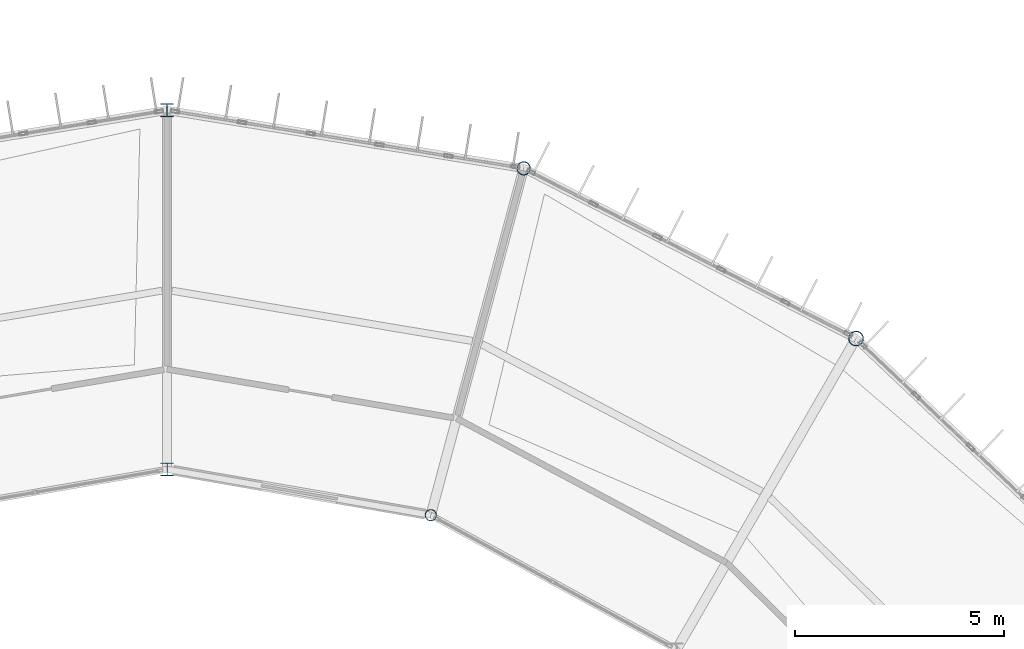
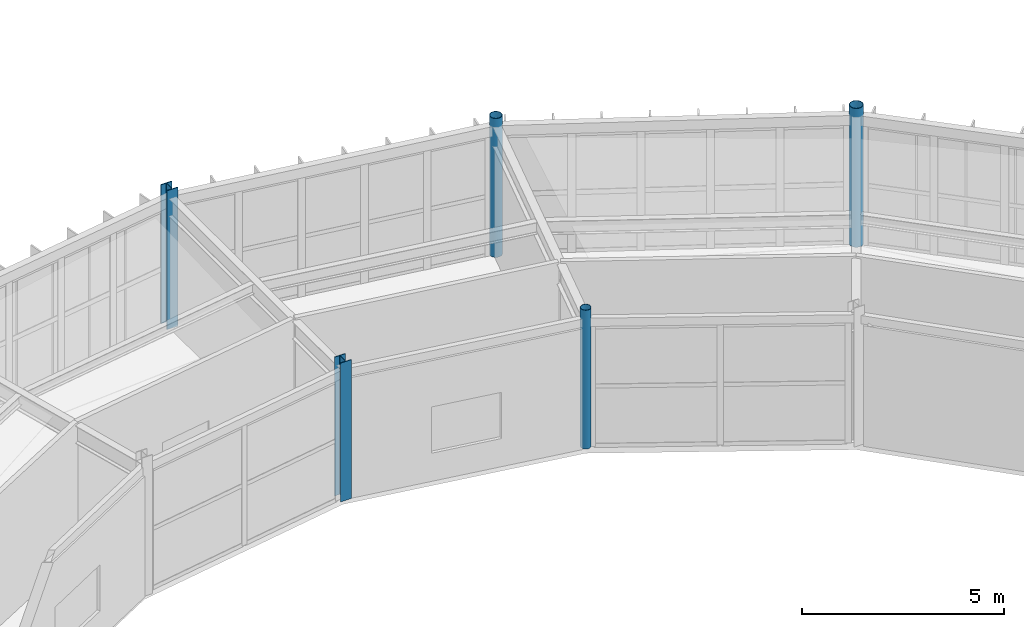
# One storey, part 16 of 147: 5 columns.
"""IFC4 building model written with IfcOpenShell, lengths in metres."""

import ifcopenshell
import ifcopenshell.guid

model = None  # the IFC model being written
_history = None  # IfcOwnerHistory: only IFC2X3 demands one
_inside = {}  # id of a spatial element -> (the spatial element, [elements in it])
_under = {}  # id of a project, library or spatial element -> (it, [spatial elements below it])
_declared = {}  # id of a project -> (the project, [libraries it declares])
_typed = {}  # id of a type object -> (the type object, [elements of that type])
_made_of = {}  # id of a material, layer set ... -> (it, [elements and type objects made of it])


def new_model(schema):
    """Start an empty IFC model of exactly this schema.

    Asked for "IFC4X3", IfcOpenShell would pick the latest addendum, in which some entities
    have other attributes; the version numbers below select the first issue.
    IFC2X3 requires an IfcOwnerHistory on every rooted entity: one is made here for all.
    """
    global model, _history
    if schema == "IFC4X3":
        model = ifcopenshell.file(schema_version=(4, 3, 0, 0))
    else:
        model = ifcopenshell.file(schema=schema)
    _inside.clear()
    _under.clear()
    _declared.clear()
    _typed.clear()
    _made_of.clear()
    _history = None
    if model.schema == "IFC2X3":
        org = make("IfcOrganization", Name="unknown")
        user = make(
            "IfcPersonAndOrganization",
            ThePerson=make("IfcPerson", FamilyName="unknown"),
            TheOrganization=org,
        )
        app = make(
            "IfcApplication",
            ApplicationDeveloper=org,
            Version="unknown",
            ApplicationFullName="unknown",
            ApplicationIdentifier="unknown",
        )
        _history = make(
            "IfcOwnerHistory",
            OwningUser=user,
            OwningApplication=app,
            ChangeAction="ADDED",
            CreationDate=0,
        )
    return model


def make(cls, **values):
    """One entity of the class cls with the attributes given. An attribute that is None is left unset."""
    return model.create_entity(
        cls, **{name: value for name, value in values.items() if value is not None}
    )


def rooted(cls, **values):
    """An entity with a GlobalId (a new one), such as an element, a storey or a relation."""
    return make(cls, GlobalId=ifcopenshell.guid.new(), OwnerHistory=_history, **values)


def si_unit(unit_type, name, prefix=None):
    """IfcSIUnit, for example si_unit("LENGTHUNIT", "METRE", prefix="MILLI")."""
    return make("IfcSIUnit", UnitType=unit_type, Prefix=prefix, Name=name)


def assignment(units):
    """IfcUnitAssignment: the units of a project."""
    return None if units is None else make("IfcUnitAssignment", Units=units)


def point(xyz):
    """IfcCartesianPoint."""
    return None if xyz is None else make("IfcCartesianPoint", Coordinates=xyz)


def direction(xyz):
    """IfcDirection."""
    return None if xyz is None else make("IfcDirection", DirectionRatios=xyz)


def frame(location, z_axis=None, x_axis=None):
    """IfcAxis2Placement3D, a coordinate frame: its origin and axes. An axis left out is left unset."""
    return make(
        "IfcAxis2Placement3D",
        Location=point(location),
        Axis=direction(z_axis),
        RefDirection=direction(x_axis),
    )


def frame_2d(location, x_axis=None):
    """IfcAxis2Placement2D, a coordinate frame in the plane: its origin and x axis."""
    return make(
        "IfcAxis2Placement2D", Location=point(location), RefDirection=direction(x_axis)
    )


def origin():
    """The frame at (0, 0, 0) with its axes left unset."""
    return frame((0.0, 0.0, 0.0))


def origin_2d():
    """The frame at (0, 0) in the plane with its x axis left unset."""
    return frame_2d((0.0, 0.0))


def place(relative_to, where):
    """IfcLocalPlacement: puts the frame where relative to a parent placement (None: the world)."""
    return make(
        "IfcLocalPlacement", PlacementRelTo=relative_to, RelativePlacement=where
    )


def context(
    kind, dimensions, precision=None, world=None, true_north=None, identifier=None
):
    """IfcGeometricRepresentationContext, for example the 3D "Model" context."""
    return make(
        "IfcGeometricRepresentationContext",
        ContextIdentifier=identifier,
        ContextType=kind,
        CoordinateSpaceDimension=dimensions,
        Precision=precision,
        WorldCoordinateSystem=world,
        TrueNorth=true_north,
    )


def subcontext(parent, identifier, kind, view, scale=None):
    """IfcGeometricRepresentationSubContext, for example "Body" below "Model"."""
    return make(
        "IfcGeometricRepresentationSubContext",
        ContextIdentifier=identifier,
        ContextType=kind,
        ParentContext=parent,
        TargetScale=scale,
        TargetView=view,
    )


def project(units=None, contexts=None):
    """IfcProject with its units and contexts."""
    return rooted(
        "IfcProject",
        Name="project",
        RepresentationContexts=contexts,
        UnitsInContext=assignment(units),
    )


def spatial(cls, under=None, at=None, **own):
    """A site, building, storey or space (cls), placed at a placement, below another one or the project."""
    s = rooted(cls, ObjectPlacement=at, **own)
    if under is not None:
        _under.setdefault(under.id(), (under, []))[1].append(s)
    return s


def profile(cls, at=None, kind="AREA", **sizes):
    """A parametric profile (cls). Its sizes go by their IFC names, for example OverallWidth=200.0."""
    return make(cls, ProfileType=kind, Position=at, **sizes)


def hollow_circle(**sizes):
    """IfcCircleHollowProfileDef."""
    return profile("IfcCircleHollowProfileDef", **sizes)


def i_section(**sizes):
    """IfcIShapeProfileDef."""
    return profile("IfcIShapeProfileDef", **sizes)


def extrude(swept, where, along, depth):
    """IfcExtrudedAreaSolid: the profile swept, set in the frame where, extruded along a direction by depth."""
    return make(
        "IfcExtrudedAreaSolid",
        SweptArea=swept,
        Position=where,
        ExtrudedDirection=direction(along),
        Depth=depth,
    )


def shape(context_of_items, identifier, shape_type, items):
    """IfcShapeRepresentation: the items that make up one representation, for example the "Body"."""
    return make(
        "IfcShapeRepresentation",
        ContextOfItems=context_of_items,
        RepresentationIdentifier=identifier,
        RepresentationType=shape_type,
        Items=items,
    )


def material(Name=None, Category=None):
    """IfcMaterial."""
    return make("IfcMaterial", Name=Name, Category=Category)


def material_profile(
    of_material, cross_section, Name=None, Category=None, Priority=None
):
    """IfcMaterialProfile: a cross section and its material."""
    return make(
        "IfcMaterialProfile",
        Name=Name,
        Material=of_material,
        Profile=cross_section,
        Priority=Priority,
        Category=Category,
    )


def profile_set(profiles, Name=None, composite=None):
    """IfcMaterialProfileSet."""
    return make(
        "IfcMaterialProfileSet",
        Name=Name,
        MaterialProfiles=profiles,
        CompositeProfile=composite,
    )


def made_of(thing, what):
    """Note that an element or type object is made of a material, layer set ...; save() writes the relation."""
    if what is not None:
        _made_of.setdefault(what.id(), (what, []))[1].append(thing)
    return thing


def type_object(cls, material=None, **own):
    """A type object (cls), such as IfcWallType, which elements share."""
    return made_of(rooted(cls, **own), material)


def element(
    cls,
    number,
    at=None,
    inside=None,
    cuts=None,
    type_object=None,
    material=None,
    context=None,
    identifier="Body",
    shape_type=None,
    held_by="IfcProductDefinitionShape",
    body=None,
    shapes=None,
    **own,
):
    """One element of the class cls, such as IfcWall. Its Tag is "e" and its number.

    at: its placement. inside: the storey or other place that contains it. cuts: it is an
    opening in that element (IfcRelVoidsElement). A single representation is given by context,
    identifier, shape_type and body (its items); several are given by shapes. held_by: the class
    of the entity that holds the representations. save() writes the other relations.
    """
    e = rooted(cls, Tag="e%d" % number, ObjectPlacement=at, **own)
    if body is not None:
        shapes = [shape(context, identifier, shape_type, body)]
    if shapes is not None:
        e.Representation = make(held_by, Representations=shapes)
    if inside is not None:
        _inside.setdefault(inside.id(), (inside, []))[1].append(e)
    if cuts is not None:
        rooted(
            "IfcRelVoidsElement", RelatingBuildingElement=cuts, RelatedOpeningElement=e
        )
    if type_object is not None:
        _typed.setdefault(type_object.id(), (type_object, []))[1].append(e)
    return made_of(e, material)


def aggregate(whole, parts):
    """IfcRelAggregates: a whole, such as a stair, and the parts it consists of."""
    return rooted("IfcRelAggregates", RelatingObject=whole, RelatedObjects=parts)


def save(model, path):
    """Write the relations noted so far, then the file.

    IfcRelAggregates (storeys below a building ...), IfcRelContainedInSpatialStructure (elements
    in a storey), IfcRelDefinesByType, IfcRelAssociatesMaterial and IfcRelDeclares: one each for
    every whole, place, type object, material and project.
    """
    for whole, parts in _under.values():
        aggregate(whole, parts)
    for where, things in _inside.values():
        rooted(
            "IfcRelContainedInSpatialStructure",
            RelatedElements=things,
            RelatingStructure=where,
        )
    for kind, things in _typed.values():
        rooted("IfcRelDefinesByType", RelatedObjects=things, RelatingType=kind)
    for what, things in _made_of.values():
        rooted("IfcRelAssociatesMaterial", RelatedObjects=things, RelatingMaterial=what)
    for by, libraries in _declared.values():
        rooted("IfcRelDeclares", RelatingContext=by, RelatedDefinitions=libraries)
    model.write(path)


model = new_model("IFC4")

# Units and contexts
model_context = context("Model", 3, precision=1e-05, world=origin(), true_north=direction((0.0, 1.0)))
body_context = subcontext(model_context, "Body", "Model", "MODEL_VIEW")
ifc_project = project(units=[si_unit("LENGTHUNIT", "METRE"), si_unit("AREAUNIT", "SQUARE_METRE"), si_unit("VOLUMEUNIT", "CUBIC_METRE"), si_unit("PLANEANGLEUNIT", "RADIAN"), si_unit("MASSUNIT", "GRAM", prefix="KILO")], contexts=[model_context])

# Site, building, storey
site_placement = place(None, origin())
site = spatial("IfcSite", under=ifc_project, at=site_placement, CompositionType="ELEMENT")
building_placement = place(site_placement, origin())
building = spatial("IfcBuilding", under=site, at=building_placement, Name="Karori Crest Natural Sciences Institute", CompositionType="ELEMENT")
storey_placement = place(building_placement, frame((0.0, 0.0, 9.10009765625)))
storey = spatial("IfcBuildingStorey", under=building, at=storey_placement, Name="L02", CompositionType="ELEMENT", Elevation=9.10009765625)

# Columns
ifc_material_1 = material(Name="Structural steel AS/NZS 3679.1 Grade 350", Category="steel")
ifc_material_profile_1 = material_profile(ifc_material_1, i_section(OverallWidth=0.31103515625, OverallDepth=0.326904296875, WebThickness=0.015625, FlangeThickness=0.02490234375, FilletRadius=0.01708984375, at=origin_2d()), Name="310UC158")
ifc_profile_set_1 = profile_set([ifc_material_profile_1], Name="Structural steel AS/NZS 3679.1 Grade 350")
column_type_1 = type_object("IfcColumnType", Name="CT-04", PredefinedType="COLUMN", material=ifc_profile_set_1)
column_1_placement = place(storey_placement, frame((66.39990234375, 90.699951171875, 0.0), z_axis=(0.0, 0.0, 1.0), x_axis=(1.0, 0.0, 0.0)))
element("IfcColumn", 1, at=column_1_placement, inside=storey, type_object=column_type_1, Name="Column C-0115", PredefinedType="COLUMN", context=body_context, shape_type="SweptSolid", body=[
    extrude(i_section(OverallWidth=0.31103515625, OverallDepth=0.326904296875, WebThickness=0.015625, FlangeThickness=0.02490234375, FilletRadius=0.01708984375, at=origin_2d()), origin(), (0.0, 0.0, 1.0), 4.199951171875),
])
ifc_material_profile_2 = material_profile(ifc_material_1, i_section(OverallWidth=0.306884765625, OverallDepth=0.31494140625, WebThickness=0.011962890625, FlangeThickness=0.018798828125, FilletRadius=0.01708984375, at=origin_2d()), Name="310UC118")
ifc_profile_set_2 = profile_set([ifc_material_profile_2], Name="Structural steel AS/NZS 3679.1 Grade 350")
column_type_2 = type_object("IfcColumnType", Name="CT-05", PredefinedType="COLUMN", material=ifc_profile_set_2)
column_2_placement = place(storey_placement, frame((66.39990234375, 82.10009765625, 0.0), z_axis=(0.0, 0.0, 1.0), x_axis=(1.0, 0.0, 0.0)))
element("IfcColumn", 2, at=column_2_placement, inside=storey, type_object=column_type_2, Name="Column C-0116", PredefinedType="COLUMN", context=body_context, shape_type="SweptSolid", body=[
    extrude(i_section(OverallWidth=0.306884765625, OverallDepth=0.31494140625, WebThickness=0.011962890625, FlangeThickness=0.018798828125, FilletRadius=0.01708984375, at=origin_2d()), origin(), (0.0, 0.0, 1.0), 4.199951171875),
])
ifc_material_2 = material(Name="Hollow structural steel AS/NZS 1163 Grade C350", Category="steel")
ifc_material_profile_3 = material_profile(ifc_material_2, hollow_circle(Radius=0.177734375, WallThickness=0.0126953125, at=origin_2d()), Name="CHS355.6x12.7")
ifc_profile_set_3 = profile_set([ifc_material_profile_3], Name="Hollow structural steel AS/NZS 1163 Grade C350")
column_type_3 = type_object("IfcColumnType", Name="CT-14", PredefinedType="COLUMN", material=ifc_profile_set_3)
column_3_placement = place(storey_placement, frame((82.89990234375, 85.23388671875, 0.0), z_axis=(0.0, 0.0, 1.0), x_axis=(1.0, 0.0, 0.0)))
element("IfcColumn", 3, at=column_3_placement, inside=storey, type_object=column_type_3, Name="Column C-0079", PredefinedType="COLUMN", context=body_context, shape_type="SweptSolid", body=[
    extrude(hollow_circle(Radius=0.177734375, WallThickness=0.0126953125, at=origin_2d()), origin(), (0.0, 0.0, 1.0), 4.199951171875),
])
ifc_material_profile_4 = material_profile(ifc_material_2, hollow_circle(Radius=0.161865234375, WallThickness=0.0126953125, at=origin_2d()), Name="CHS323.9x12.7")
ifc_profile_set_4 = profile_set([ifc_material_profile_4], Name="Hollow structural steel AS/NZS 1163 Grade C350")
column_type_4 = type_object("IfcColumnType", Name="CT-15", PredefinedType="COLUMN", material=ifc_profile_set_4)
column_4_placement = place(storey_placement, frame((74.94091796875, 89.309814453125, 0.0), z_axis=(0.0, 0.0, 1.0), x_axis=(1.0, 0.0, 0.0)))
element("IfcColumn", 4, at=column_4_placement, inside=storey, type_object=column_type_4, Name="Column C-0097", PredefinedType="COLUMN", context=body_context, shape_type="SweptSolid", body=[
    extrude(hollow_circle(Radius=0.161865234375, WallThickness=0.0126953125, at=origin_2d()), origin(), (0.0, 0.0, 1.0), 4.199951171875),
])
ifc_material_profile_5 = material_profile(ifc_material_2, hollow_circle(Radius=0.136474609375, WallThickness=0.00927734375, at=origin_2d()), Name="CHS273.0x9.3")
ifc_profile_set_5 = profile_set([ifc_material_profile_5], Name="Hollow structural steel AS/NZS 1163 Grade C350")
column_type_5 = type_object("IfcColumnType", Name="CT-16", PredefinedType="COLUMN", material=ifc_profile_set_5)
column_5_placement = place(storey_placement, frame((72.715087890625, 81.002685546875, 0.0), z_axis=(0.0, 0.0, 1.0), x_axis=(1.0, 0.0, 0.0)))
element("IfcColumn", 5, at=column_5_placement, inside=storey, type_object=column_type_5, Name="Column C-0098", PredefinedType="COLUMN", context=body_context, shape_type="SweptSolid", body=[
    extrude(hollow_circle(Radius=0.136474609375, WallThickness=0.00927734375, at=origin_2d()), origin(), (0.0, 0.0, 1.0), 4.199951171875),
])

save(model, "model.ifc")
